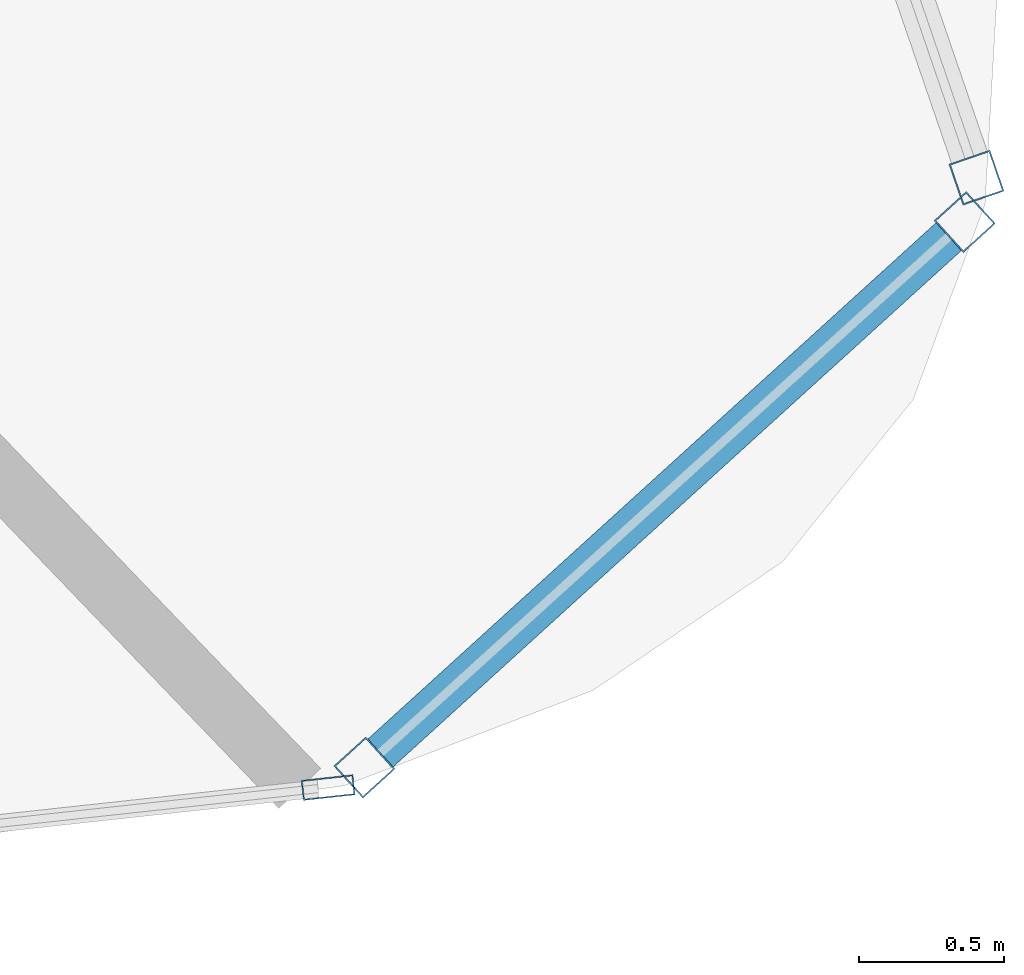
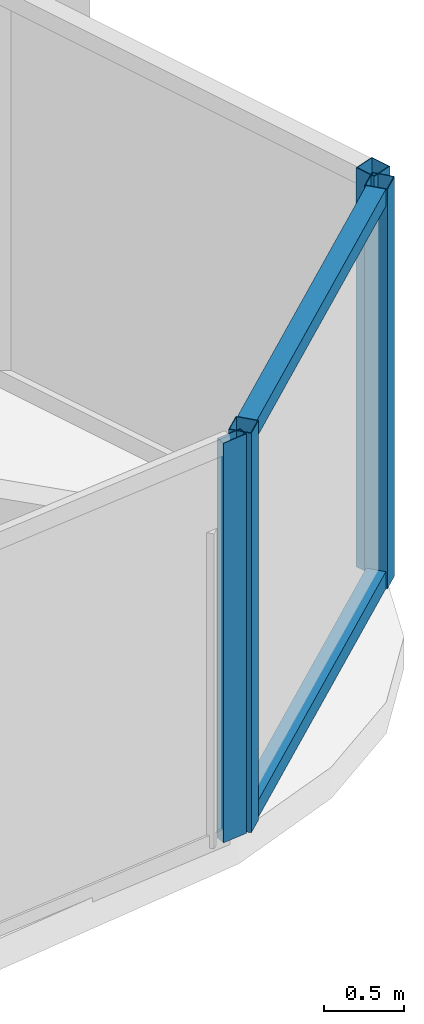
# One storey, part 14 of 34: 6 members, 3 elements without a shape of their own.
"""IFC4 building model written with IfcOpenShell, lengths in metres."""

from ifc_helpers import new_model, si_unit, direction, frame, origin, origin_2d, place, context, subcontext, project, spatial, hollow_rectangle, extrude, material, layer, layer_set, material_profile, profile_set, type_object, element, aggregate, save


model = new_model("IFC4")

# Units and contexts
model_context = context("Model", 3, precision=1e-05, world=origin(), true_north=direction((0.0, 1.0)))
body_context = subcontext(model_context, "Body", "Model", "MODEL_VIEW")
ifc_project = project(units=[si_unit("LENGTHUNIT", "METRE"), si_unit("AREAUNIT", "SQUARE_METRE"), si_unit("VOLUMEUNIT", "CUBIC_METRE"), si_unit("PLANEANGLEUNIT", "RADIAN"), si_unit("MASSUNIT", "GRAM", prefix="KILO")], contexts=[model_context])

# Site, building, storey
site_placement = place(None, origin())
site = spatial("IfcSite", under=ifc_project, at=site_placement, CompositionType="ELEMENT")
building_placement = place(site_placement, origin())
building = spatial("IfcBuilding", under=site, at=building_placement, Name="Orvanel Arch Residences", CompositionType="ELEMENT")
storey_placement = place(building_placement, frame((0.0, 0.0, 80.75)))
storey = spatial("IfcBuildingStorey", under=building, at=storey_placement, Name="L22", CompositionType="ELEMENT", Elevation=80.75)

# Curtain wall, members
ifc_material = material(Name="Bronze-anodised aluminium AA6063-T6", Category="aluminium")
ifc_layer_1 = layer(ifc_material, 0.18994140625)
ifc_layer_set_1 = layer_set([ifc_layer_1], Name="Bronze-anodised aluminium AA6063-T6")
curtain_wall_type_1 = type_object("IfcCurtainWallType", Name="CW5-CRN-SYS", PredefinedType="NOTDEFINED", material=ifc_layer_set_1)
curtain_wall_1_placement = place(storey_placement, origin())
curtain_wall_1 = element("IfcCurtainWall", 1, at=curtain_wall_1_placement, inside=storey, type_object=curtain_wall_type_1, Name="L22 CW5-CRN-SYS Unitised Curtain Wall", PredefinedType="NOTDEFINED")
ifc_material_profile_1 = material_profile(ifc_material, hollow_rectangle(XDim=0.14990234375, YDim=0.14990234375, WallThickness=0.0048828125, at=origin_2d()), Name="ALU150x150x5")
ifc_profile_set_1 = profile_set([ifc_material_profile_1], Name="Bronze-anodised aluminium AA6063-T6")
member_type_1 = type_object("IfcMemberType", Name="MUL-150x150", PredefinedType="MULLION", material=ifc_profile_set_1)
member_1_placement = place(storey_placement, frame((58.46044921875, 4.25146484375, 0.0), z_axis=(0.0, 0.0, 1.0), x_axis=(-0.6724198414, 0.740169951357, 0.0)))
member_1 = element("IfcMember", 2, at=member_1_placement, type_object=member_type_1, Name="CW-S5 mullion 1", PredefinedType="MULLION", context=body_context, shape_type="SweptSolid", body=[
    extrude(hollow_rectangle(XDim=0.14990234375, YDim=0.14990234375, WallThickness=0.0048828125, at=origin_2d()), origin(), (0.0, 0.0, 1.0), 3.06005859375),
])
member_2_placement = place(storey_placement, frame((60.534423828125, 6.135498046875, 0.0), z_axis=(0.0, 0.0, 1.0), x_axis=(-0.6724198414, 0.740169951357, 0.0)))
member_2 = element("IfcMember", 3, at=member_2_placement, type_object=member_type_1, Name="CW-S5 mullion 2", PredefinedType="MULLION", context=body_context, shape_type="SweptSolid", body=[
    extrude(hollow_rectangle(XDim=0.14990234375, YDim=0.14990234375, WallThickness=0.0048828125, at=origin_2d()), origin(), (0.0, 0.0, 1.0), 3.06005859375),
])

# Curtain wall, member
curtain_wall_2_placement = place(storey_placement, origin())
curtain_wall_2 = element("IfcCurtainWall", 4, at=curtain_wall_2_placement, inside=storey, type_object=curtain_wall_type_1, Name="L22 CW5-CRN-SYS Unitised Curtain Wall", PredefinedType="NOTDEFINED")
member_3_placement = place(storey_placement, frame((60.57470703125, 6.2890625, 0.0), z_axis=(0.0, 0.0, 1.0), x_axis=(-0.945912167236, -0.324422828844, 0.0)))
member_3 = element("IfcMember", 5, at=member_3_placement, type_object=member_type_1, Name="CW-S5 mullion 1", PredefinedType="MULLION", context=body_context, shape_type="SweptSolid", body=[
    extrude(hollow_rectangle(XDim=0.14990234375, YDim=0.14990234375, WallThickness=0.0048828125, at=origin_2d()), origin(), (0.0, 0.0, 1.0), 3.06005859375),
])
aggregate(curtain_wall_2, [member_3])

ifc_layer_2 = layer(ifc_material, 0.179931640625)
ifc_layer_set_2 = layer_set([ifc_layer_2], Name="Bronze-anodised aluminium AA6063-T6")
curtain_wall_type_2 = type_object("IfcCurtainWallType", Name="CW2-LOW-SYS", PredefinedType="NOTDEFINED", material=ifc_layer_set_2)
curtain_wall_3_placement = place(storey_placement, origin())
curtain_wall_3 = element("IfcCurtainWall", 6, at=curtain_wall_3_placement, inside=storey, type_object=curtain_wall_type_2, Name="L22 CW2-LOW-SYS Unitised Curtain Wall", PredefinedType="NOTDEFINED")
ifc_material_profile_2 = material_profile(ifc_material, hollow_rectangle(XDim=0.070068359375, YDim=0.179931640625, WallThickness=0.00439453125, at=origin_2d()), Name="ALU180x70x4.5")
ifc_profile_set_2 = profile_set([ifc_material_profile_2], Name="Bronze-anodised aluminium AA6063-T6")
member_type_2 = type_object("IfcMemberType", Name="MUL-180x70", PredefinedType="MULLION", material=ifc_profile_set_2)
member_4_placement = place(storey_placement, frame((58.335205078125, 4.18212890625, 0.0), z_axis=(0.0, 0.0, 1.0), x_axis=(-0.10808278479, 0.994141897131, 0.0)))
member_4 = element("IfcMember", 7, at=member_4_placement, type_object=member_type_2, Name="CW-S2 mullion 4", PredefinedType="MULLION", context=body_context, shape_type="SweptSolid", body=[
    extrude(hollow_rectangle(XDim=0.070068359375, YDim=0.179931640625, WallThickness=0.00439453125, at=origin_2d()), origin(), (0.0, 0.0, 1.0), 3.06005859375),
])
aggregate(curtain_wall_3, [member_4])

# Member
ifc_material_profile_3 = material_profile(ifc_material, hollow_rectangle(XDim=0.1298828125, YDim=0.1298828125, WallThickness=0.00439453125, at=origin_2d()), Name="ALU130x130x4.5")
ifc_profile_set_3 = profile_set([ifc_material_profile_3], Name="Bronze-anodised aluminium AA6063-T6")
member_type_3 = type_object("IfcMemberType", Name="TRN-130x130", PredefinedType="USERDEFINED", material=ifc_profile_set_3)
member_5_placement = place(storey_placement, frame((58.51611328125, 4.3017578125, 0.06494140625), z_axis=(0.740127488315, 0.672466579869, 0.0), x_axis=(-0.672466579869, 0.740127488315, 0.0)))
member_5 = element("IfcMember", 8, at=member_5_placement, type_object=member_type_3, Name="CW-S5 transom 1.1", ObjectType="TRANSOM", PredefinedType="USERDEFINED", context=body_context, shape_type="SweptSolid", body=[
    extrude(hollow_rectangle(XDim=0.1298828125, YDim=0.1298828125, WallThickness=0.00439453125, at=origin_2d()), origin(), (0.0, 0.0, 1.0), 2.652099609375),
])

member_6_placement = place(storey_placement, frame((58.51611328125, 4.3017578125, 2.9951171875), z_axis=(0.740127488315, 0.672466579869, 0.0), x_axis=(-0.672466579869, 0.740127488315, 0.0)))
member_6 = element("IfcMember", 9, at=member_6_placement, type_object=member_type_3, Name="CW-S5 transom 1.2", ObjectType="TRANSOM", PredefinedType="USERDEFINED", context=body_context, shape_type="SweptSolid", body=[
    extrude(hollow_rectangle(XDim=0.1298828125, YDim=0.1298828125, WallThickness=0.00439453125, at=origin_2d()), origin(), (0.0, 0.0, 1.0), 2.652099609375),
])

aggregate(curtain_wall_1, [member_1, member_2, member_5, member_6])

save(model, "model.ifc")
